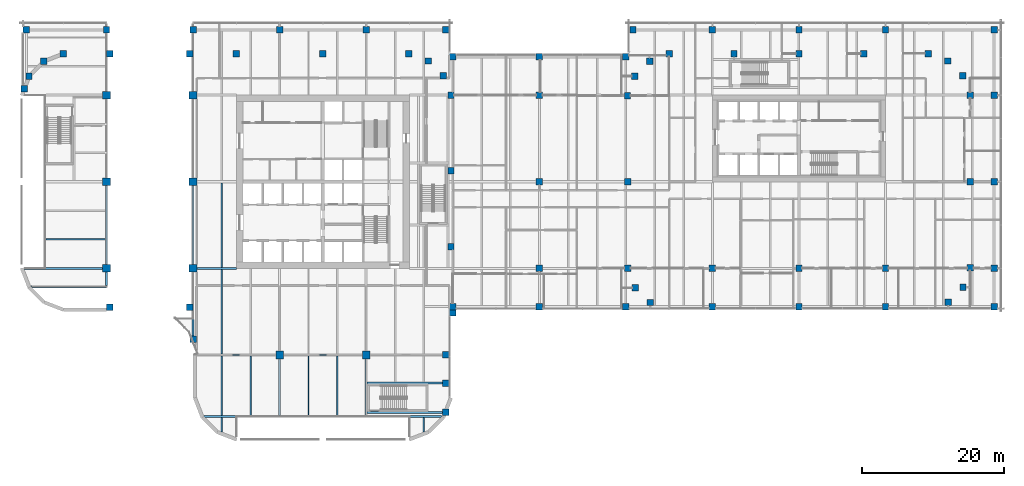
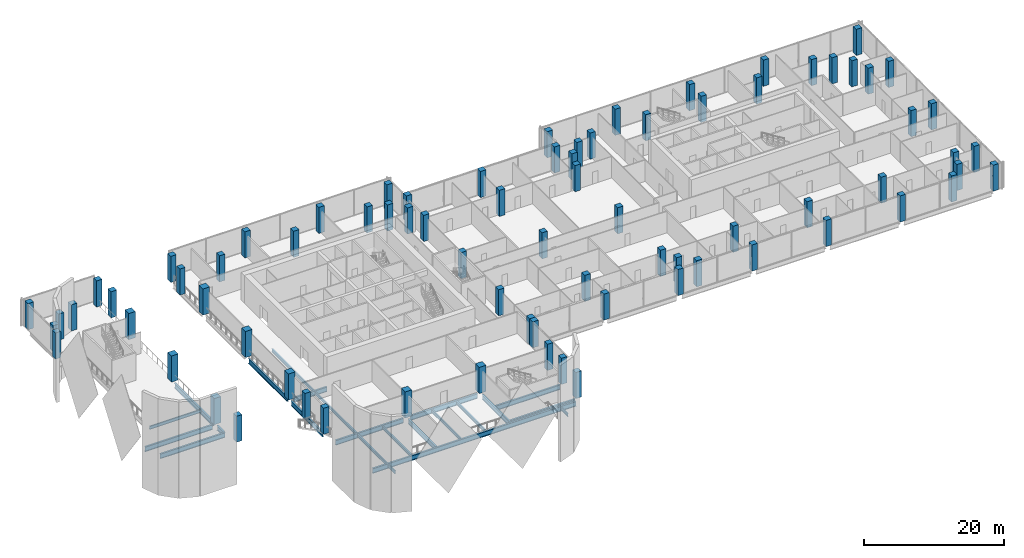
# One storey, part 1 of 33: 78 columns, 23 beams.
"""IFC4 building model written with IfcOpenShell, lengths in metres."""

from ifc_helpers import new_model, si_unit, direction, frame, origin, origin_2d, place, context, subcontext, project, spatial, rectangle, i_section, extrude, material, material_profile, profile_set, type_object, element, save


model = new_model("IFC4")

# Units and contexts
model_context = context("Model", 3, precision=1e-05, world=origin(), true_north=direction((0.0, 1.0)))
body_context = subcontext(model_context, "Body", "Model", "MODEL_VIEW")
ifc_project = project(units=[si_unit("LENGTHUNIT", "METRE"), si_unit("AREAUNIT", "SQUARE_METRE"), si_unit("VOLUMEUNIT", "CUBIC_METRE"), si_unit("PLANEANGLEUNIT", "RADIAN"), si_unit("MASSUNIT", "GRAM", prefix="KILO")], contexts=[model_context])

# Site, building, storey
site_placement = place(None, origin())
site = spatial("IfcSite", under=ifc_project, at=site_placement, CompositionType="ELEMENT")
building_placement = place(site_placement, origin())
building = spatial("IfcBuilding", under=site, at=building_placement, Name="Tessera Gate Towers", CompositionType="ELEMENT")
storey_placement = place(building_placement, frame((0.0, 0.0, 7.199951171875)))
storey = spatial("IfcBuildingStorey", under=building, at=storey_placement, Name="L01", CompositionType="ELEMENT", Elevation=7.199951171875)

# Columns
ifc_material_1 = material(Name="Concrete C70/85", Category="concrete")
ifc_material_profile_1 = material_profile(ifc_material_1, rectangle(XDim=1.10009765625, YDim=1.10009765625, at=origin_2d()), Name="RC 1100x1100")
ifc_profile_set_1 = profile_set([ifc_material_profile_1], Name="Concrete C70/85")
column_type_1 = type_object("IfcColumnType", Name="COLUMN RC 1100x1100", PredefinedType="COLUMN", material=ifc_profile_set_1)
for number, where, z_axis, x_axis, name in (
    (1, (12.199951171875, 24.39990234375, 0.0), (0.0, 0.0, 1.0), (1.0, 0.0, 0.0), "T1-COL-2C-L01"),
    (2, (12.199951171875, 36.60009765625, 0.0), (0.0, 0.0, 1.0), (1.0, 0.0, 0.0), "T1-COL-2D-L01"),
    (3, (12.199951171875, 48.800048828125, 0.0), (0.0, 0.0, 1.0), (1.0, 0.0, 0.0), "T1-COL-2E-L01"),
    (4, (24.39990234375, 24.39990234375, 0.0), (0.0, 0.0, 1.0), (1.0, 0.0, 0.0), "T1-COL-3C-L01"),
    (5, (24.39990234375, 36.60009765625, 0.0), (0.0, 0.0, 1.0), (1.0, 0.0, 0.0), "T1-COL-3D-L01"),
    (6, (24.39990234375, 48.800048828125, 0.0), (0.0, 0.0, 1.0), (1.0, 0.0, 0.0), "T1-COL-3E-L01"),
    (7, (36.60009765625, 12.199951171875, 0.0), (0.0, 0.0, 1.0), (1.0, 0.0, 0.0), "T1-COL-4B-L01"),
    (8, (48.800048828125, 12.199951171875, 0.0), (0.0, 0.0, 1.0), (1.0, 0.0, 0.0), "T1-COL-5B-L01"),
):
    element("IfcColumn", number, at=place(storey_placement, frame(where, z_axis=z_axis, x_axis=x_axis)), inside=storey, type_object=column_type_1, Name=name, PredefinedType="COLUMN", context=body_context, shape_type="SweptSolid", body=[
        extrude(rectangle(XDim=1.10009765625, YDim=1.10009765625, at=origin_2d()), origin(), (0.0, 0.0, 1.0), 4.550048828125),
    ])
ifc_material_2 = material(Name="Concrete C70/85", Category="concrete")
ifc_material_profile_2 = material_profile(ifc_material_2, rectangle(XDim=0.89990234375, YDim=0.89990234375, at=origin_2d()), Name="RC 900x900")
ifc_profile_set_2 = profile_set([ifc_material_profile_2], Name="Concrete C70/85")
column_type_2 = type_object("IfcColumnType", Name="COLUMN RC 900x900", PredefinedType="COLUMN", material=ifc_profile_set_2)
for number, where, z_axis, x_axis, name in (
    (9, (12.64990234375, 54.64990234375, 0.0), (0.0, 0.0, 1.0), (1.0, 0.0, 0.0), "PD-COL-E1-L01"),
    (10, (23.949951171875, 54.64990234375, 0.0), (0.0, 0.0, 1.0), (1.0, 0.0, 0.0), "PD-COL-E2-L01"),
    (11, (60.75, 27.449951171875, 0.0), (0.0, 0.0, 1.0), (1.0, 0.0, 0.0), "PD-COL-E3-L01"),
    (12, (60.75, 38.125, 0.0), (0.0, 0.0, 1.0), (1.0, 0.0, 0.0), "PD-COL-E4-L01"),
    (13, (60.75, 48.800048828125, 0.0), (0.0, 0.0, 1.0), (1.0, 0.0, 0.0), "PD-COL-E5-L01"),
    (14, (59.6689453125, 51.555908203125, 0.0), (0.0, 0.0, 1.0), (1.0, 0.0, 0.0), "PD-COL-E6-L01"),
    (15, (57.569091796875, 53.6259765625, 0.0), (0.0, 0.0, 1.0), (1.0, 0.0, 0.0), "PD-COL-E7-L01"),
    (16, (54.81005859375, 54.6669921875, 0.0), (0.0, 0.0, 1.0), (1.0, 0.0, 0.0), "PD-COL-E8-L01"),
    (17, (42.699951171875, 54.64990234375, 0.0), (0.0, 0.0, 1.0), (1.0, 0.0, 0.0), "PD-COL-E9-L01"),
    (18, (30.5, 54.64990234375, 0.0), (0.0, 0.0, 1.0), (1.0, 0.0, 0.0), "PD-COL-E10-L01"),
    (19, (6.10009765625, 54.64990234375, 0.0), (0.0, 0.0, 1.0), (1.0, 0.0, 0.0), "PD-COL-E11-L01"),
    (20, (3.343994140625, 53.569091796875, 0.0), (0.0, 0.0, 1.0), (1.0, 0.0, 0.0), "PD-COL-E12-L01"),
    (21, (1.27392578125, 51.468994140625, 0.0), (0.0, 0.0, 1.0), (1.0, 0.0, 0.0), "PD-COL-E13-L01"),
    (22, (130.85595703125, 19.631103515625, 0.0), (0.0, 0.0, 1.0), (1.0, 0.0, 0.0), "PD-COL-E14-L01"),
    (23, (132.926025390625, 21.73095703125, 0.0), (0.0, 0.0, 1.0), (1.0, 0.0, 0.0), "PD-COL-E15-L01"),
    (24, (133.967041015625, 24.489990234375, 0.0), (0.0, 0.0, 1.0), (1.0, 0.0, 0.0), "PD-COL-E16-L01"),
    (25, (133.949951171875, 36.60009765625, 0.0), (0.0, 0.0, 1.0), (1.0, 0.0, 0.0), "PD-COL-E17-L01"),
    (26, (133.949951171875, 48.800048828125, 0.0), (0.0, 0.0, 1.0), (1.0, 0.0, 0.0), "PD-COL-E18-L01"),
    (27, (132.868896484375, 51.555908203125, 0.0), (0.0, 0.0, 1.0), (1.0, 0.0, 0.0), "PD-COL-E19-L01"),
    (28, (130.76904296875, 53.6259765625, 0.0), (0.0, 0.0, 1.0), (1.0, 0.0, 0.0), "PD-COL-E20-L01"),
    (29, (128.010009765625, 54.6669921875, 0.0), (0.0, 0.0, 1.0), (1.0, 0.0, 0.0), "PD-COL-E21-L01"),
    (30, (118.949951171875, 54.64990234375, 0.0), (0.0, 0.0, 1.0), (1.0, 0.0, 0.0), "PD-COL-E22-L01"),
    (31, (109.800048828125, 54.64990234375, 0.0), (0.0, 0.0, 1.0), (1.0, 0.0, 0.0), "PD-COL-E23-L01"),
    (32, (100.64990234375, 54.64990234375, 0.0), (0.0, 0.0, 1.0), (1.0, 0.0, 0.0), "PD-COL-E24-L01"),
    (33, (91.5, 54.64990234375, 0.0), (0.0, 0.0, 1.0), (1.0, 0.0, 0.0), "PD-COL-E25-L01"),
    (34, (88.743896484375, 53.569091796875, 0.0), (0.0, 0.0, 1.0), (1.0, 0.0, 0.0), "PD-COL-E26-L01"),
    (35, (86.674072265625, 51.468994140625, 0.0), (0.0, 0.0, 1.0), (1.0, 0.0, 0.0), "PD-COL-E27-L01"),
    (36, (85.633056640625, 48.7099609375, 0.0), (0.0, 0.0, 1.0), (1.0, 0.0, 0.0), "PD-COL-E28-L01"),
    (37, (85.64990234375, 36.60009765625, 0.0), (0.0, 0.0, 1.0), (1.0, 0.0, 0.0), "PD-COL-E29-L01"),
    (38, (85.64990234375, 24.39990234375, 0.0), (0.0, 0.0, 1.0), (1.0, 0.0, 0.0), "PD-COL-E30-L01"),
    (39, (86.73095703125, 21.64404296875, 0.0), (0.0, 0.0, 1.0), (1.0, 0.0, 0.0), "PD-COL-E31-L01"),
    (40, (88.8310546875, 19.573974609375, 0.0), (0.0, 0.0, 1.0), (1.0, 0.0, 0.0), "PD-COL-E32-L01"),
    (41, (97.60009765625, 24.39990234375, 0.0), (0.0, 0.0, 1.0), (1.0, 0.0, 0.0), "T2-COL-9C-L01"),
    (42, (109.800048828125, 24.39990234375, 0.0), (0.0, 0.0, 1.0), (1.0, 0.0, 0.0), "T2-COL-10C-L01"),
    (43, (122.0, 24.39990234375, 0.0), (0.0, 0.0, 1.0), (1.0, 0.0, 0.0), "T2-COL-11C-L01"),
    (44, (73.199951171875, 24.39990234375, 0.0), (0.0, 0.0, 1.0), (1.0, 0.0, 0.0), "PD-COL-7C-L01"),
    (45, (73.199951171875, 36.60009765625, 0.0), (0.0, 0.0, 1.0), (1.0, 0.0, 0.0), "PD-COL-7D-L01"),
    (46, (73.199951171875, 48.800048828125, 0.0), (0.0, 0.0, 1.0), (1.0, 0.0, 0.0), "PD-COL-7E-L01"),
    (47, (12.199951171875, 58.0, 0.0), (0.0, 0.0, 1.0), (1.0, 0.0, 0.0), "PD-COL-258-L01"),
    (48, (24.39990234375, 58.0, 0.0), (0.0, 0.0, 1.0), (1.0, 0.0, 0.0), "PD-COL-358-L01"),
    (49, (36.60009765625, 58.0, 0.0), (0.0, 0.0, 1.0), (1.0, 0.0, 0.0), "PD-COL-458-L01"),
    (50, (48.800048828125, 58.0, 0.0), (0.0, 0.0, 1.0), (1.0, 0.0, 0.0), "PD-COL-558-L01"),
    (51, (97.60009765625, 58.0, 0.0), (0.0, 0.0, 1.0), (1.0, 0.0, 0.0), "PD-COL-958-L01"),
    (52, (109.800048828125, 58.0, 0.0), (0.0, 0.0, 1.0), (1.0, 0.0, 0.0), "PD-COL-1058-L01"),
    (53, (122.0, 58.0, 0.0), (0.0, 0.0, 1.0), (1.0, 0.0, 0.0), "PD-COL-1158-L01"),
    (54, (137.300048828125, 58.0, 0.0), (0.0, 0.0, 1.0), (1.0, 0.0, 0.0), "PD-COL-137.358-L01"),
    (55, (137.300048828125, 48.800048828125, 0.0), (0.0, 0.0, 1.0), (1.0, 0.0, 0.0), "PD-COL-137.3E-L01"),
    (56, (137.300048828125, 36.60009765625, 0.0), (0.0, 0.0, 1.0), (1.0, 0.0, 0.0), "PD-COL-137.3D-L01"),
    (57, (137.300048828125, 24.39990234375, 0.0), (0.0, 0.0, 1.0), (1.0, 0.0, 0.0), "PD-COL-137.3C-L01"),
    (58, (61.0, 19.0, 0.0), (0.0, 0.0, 1.0), (1.0, 0.0, 0.0), "PD-COL-619-L01"),
    (59, (73.199951171875, 19.0, 0.0), (0.0, 0.0, 1.0), (1.0, 0.0, 0.0), "PD-COL-719-L01"),
    (60, (85.39990234375, 19.0, 0.0), (0.0, 0.0, 1.0), (1.0, 0.0, 0.0), "PD-COL-819-L01"),
    (61, (97.60009765625, 19.0, 0.0), (0.0, 0.0, 1.0), (1.0, 0.0, 0.0), "PD-COL-919-L01"),
    (62, (109.800048828125, 19.0, 0.0), (0.0, 0.0, 1.0), (1.0, 0.0, 0.0), "PD-COL-1019-L01"),
    (63, (122.0, 19.0, 0.0), (0.0, 0.0, 1.0), (1.0, 0.0, 0.0), "PD-COL-1119-L01"),
    (64, (137.300048828125, 19.0, 0.0), (0.0, 0.0, 1.0), (1.0, 0.0, 0.0), "PD-COL-137.319-L01"),
    (65, (61.0, 54.199951171875, 0.0), (0.0, 0.0, 1.0), (1.0, 0.0, 0.0), "PD-COL-654.2-L01"),
    (66, (73.199951171875, 54.199951171875, 0.0), (0.0, 0.0, 1.0), (1.0, 0.0, 0.0), "PD-COL-754.2-L01"),
    (67, (85.39990234375, 54.199951171875, 0.0), (0.0, 0.0, 1.0), (1.0, 0.0, 0.0), "PD-COL-854.2-L01"),
    (68, (60.0, 58.0, 0.0), (0.0, 0.0, 1.0), (1.0, 0.0, 0.0), "PD-COL-6058-L01"),
    (69, (86.39990234375, 58.0, 0.0), (0.0, 0.0, 1.0), (1.0, 0.0, 0.0), "PD-COL-86.458-L01"),
    (70, (0.89990234375, 58.0, 0.0), (0.0, 0.0, 1.0), (1.0, 0.0, 0.0), "PD-COL-0.958-L01"),
    (71, (60.0, 12.199951171875, 0.0), (0.0, 0.0, 1.0), (1.0, 0.0, 0.0), "PD-COL-60B-L01"),
    (72, (24.39990234375, 14.39990234375, 0.0), (0.0, 0.0, 1.0), (1.0, 0.0, 0.0), "PD-COL-314.4-L01"),
    (73, (60.0, 8.199951171875, 0.0), (0.0, 0.0, 1.0), (1.0, 0.0, 0.0), "PD-COL-608.2-L01"),
    (74, (60.0, 4.10009765625, 0.0), (0.0, 0.0, 1.0), (1.0, 0.0, 0.0), "PD-COL-604.1-L01"),
    (75, (61.0, 18.10009765625, 0.0), (0.0, 0.0, 1.0), (1.0, 0.0, 0.0), "PD-COL-618.1-L01"),
    (76, (0.6201171875, 49.719970703125, 0.0), (0.0, 0.0, 1.0), (1.0, 0.0, 0.0), "PD-COL-0.6249.72-L01"),
    (77, (12.64990234375, 18.89990234375, 0.0), (0.0, 0.0, 1.0), (1.0, 0.0, 0.0), "PD-COL-MOUTH1-L01"),
    (78, (23.949951171875, 18.89990234375, 0.0), (0.0, 0.0, 1.0), (1.0, 0.0, 0.0), "PD-COL-MOUTH2-L01"),
):
    element("IfcColumn", number, at=place(storey_placement, frame(where, z_axis=z_axis, x_axis=x_axis)), inside=storey, type_object=column_type_2, Name=name, PredefinedType="COLUMN", context=body_context, shape_type="SweptSolid", body=[
        extrude(rectangle(XDim=0.89990234375, YDim=0.89990234375, at=origin_2d()), origin(), (0.0, 0.0, 1.0), 4.550048828125),
    ])

# Beams
ifc_material_3 = material(Name="Steel 350W", Category="steel")
ifc_material_profile_3 = material_profile(ifc_material_3, i_section(OverallWidth=0.2919921875, OverallDepth=0.8349609375, WebThickness=0.013916015625, FlangeThickness=0.018798828125, at=origin_2d()), Name="W840x176")
ifc_profile_set_3 = profile_set([ifc_material_profile_3], Name="Steel 350W")
beam_type_1 = type_object("IfcBeamType", Name="FLOOR GIRDER W840x176", PredefinedType="BEAM", material=ifc_profile_set_3)
beam_1_placement = place(storey_placement, frame((25.957763671875, 3.5, -0.66748046875), z_axis=(1.0, 0.0, 0.0), x_axis=(0.0, 1.0, 0.0)))
element("IfcBeam", 79, at=beam_1_placement, inside=storey, type_object=beam_type_1, Name="PD-GD-L01-198", PredefinedType="BEAM", context=body_context, shape_type="SweptSolid", body=[
    extrude(i_section(OverallWidth=0.2919921875, OverallDepth=0.8349609375, WebThickness=0.013916015625, FlangeThickness=0.018798828125, at=origin_2d()), origin(), (0.0, 0.0, 1.0), 33.484375),
])
beam_2_placement = place(storey_placement, frame((1.557861328125, 21.800048828125, -0.66748046875), z_axis=(1.0, 0.0, 0.0), x_axis=(0.0, 1.0, 0.0)))
element("IfcBeam", 80, at=beam_2_placement, inside=storey, type_object=beam_type_1, Name="PD-GD-L01-200", PredefinedType="BEAM", context=body_context, shape_type="SweptSolid", body=[
    extrude(i_section(OverallWidth=0.2919921875, OverallDepth=0.8349609375, WebThickness=0.013916015625, FlangeThickness=0.018798828125, at=origin_2d()), origin(), (0.0, 0.0, 1.0), 10.64306640625),
])
beam_3_placement = place(storey_placement, frame((24.89892578125, 12.199951171875, -0.66748046875), z_axis=(1.0, 0.0, 0.0), x_axis=(0.0, 1.0, 0.0)))
element("IfcBeam", 81, at=beam_3_placement, inside=storey, type_object=beam_type_1, Name="PD-GD-L01-201", PredefinedType="BEAM", context=body_context, shape_type="SweptSolid", body=[
    extrude(i_section(OverallWidth=0.2919921875, OverallDepth=0.8349609375, WebThickness=0.013916015625, FlangeThickness=0.018798828125, at=origin_2d()), origin(), (0.0, 0.0, 1.0), 11.151123046875),
])
beam_4_placement = place(storey_placement, frame((37.14990234375, 12.199951171875, -0.66748046875), z_axis=(1.0, 0.0, 0.0), x_axis=(0.0, 1.0, 0.0)))
element("IfcBeam", 82, at=beam_4_placement, inside=storey, type_object=beam_type_1, Name="PD-GD-L01-202", PredefinedType="BEAM", context=body_context, shape_type="SweptSolid", body=[
    extrude(i_section(OverallWidth=0.2919921875, OverallDepth=0.8349609375, WebThickness=0.013916015625, FlangeThickness=0.018798828125, at=origin_2d()), origin(), (0.0, 0.0, 1.0), 11.10009765625),
])
beam_5_placement = place(storey_placement, frame((0.534912109375, 24.39990234375, -0.66748046875), z_axis=(1.0, 0.0, 0.0), x_axis=(0.0, 1.0, 0.0)))
element("IfcBeam", 83, at=beam_5_placement, inside=storey, type_object=beam_type_1, Name="PD-GD-L01-204", PredefinedType="BEAM", context=body_context, shape_type="SweptSolid", body=[
    extrude(i_section(OverallWidth=0.2919921875, OverallDepth=0.8349609375, WebThickness=0.013916015625, FlangeThickness=0.018798828125, at=origin_2d()), origin(), (0.0, 0.0, 1.0), 11.114990234375),
])
beam_6_placement = place(storey_placement, frame((24.949951171875, 24.39990234375, -0.66748046875), z_axis=(1.0, 0.0, 0.0), x_axis=(0.0, 1.0, 0.0)))
element("IfcBeam", 84, at=beam_6_placement, inside=storey, type_object=beam_type_1, Name="PD-GD-L01-205", PredefinedType="BEAM", context=body_context, shape_type="SweptSolid", body=[
    extrude(i_section(OverallWidth=0.2919921875, OverallDepth=0.8349609375, WebThickness=0.013916015625, FlangeThickness=0.018798828125, at=origin_2d()), origin(), (0.0, 0.0, 1.0), 5.549072265625),
])
beam_7_placement = place(storey_placement, frame((12.199951171875, 21.946044921875, -0.66748046875), z_axis=(0.0, 1.0, 0.0), x_axis=(-1.0, 0.0, 0.0)))
element("IfcBeam", 85, at=beam_7_placement, inside=storey, type_object=beam_type_1, Name="PD-GD-L01-235", PredefinedType="BEAM", context=body_context, shape_type="SweptSolid", body=[
    extrude(i_section(OverallWidth=0.2919921875, OverallDepth=0.8349609375, WebThickness=0.013916015625, FlangeThickness=0.018798828125, at=origin_2d()), origin(), (0.0, 0.0, 1.0), 1.904052734375),
])
beam_8_placement = place(storey_placement, frame((12.199951171875, 24.949951171875, -0.66748046875), z_axis=(0.0, 1.0, 0.0), x_axis=(-1.0, 0.0, 0.0)))
element("IfcBeam", 86, at=beam_8_placement, inside=storey, type_object=beam_type_1, Name="PD-GD-L01-236", PredefinedType="BEAM", context=body_context, shape_type="SweptSolid", body=[
    extrude(i_section(OverallWidth=0.2919921875, OverallDepth=0.8349609375, WebThickness=0.013916015625, FlangeThickness=0.018798828125, at=origin_2d()), origin(), (0.0, 0.0, 1.0), 11.10009765625),
])
beam_9_placement = place(storey_placement, frame((24.39990234375, 14.85009765625, -0.66748046875), z_axis=(0.0, 1.0, 0.0), x_axis=(-1.0, 0.0, 0.0)))
element("IfcBeam", 87, at=beam_9_placement, inside=storey, type_object=beam_type_1, Name="PD-GD-L01-239", PredefinedType="BEAM", context=body_context, shape_type="SweptSolid", body=[
    extrude(i_section(OverallWidth=0.2919921875, OverallDepth=0.8349609375, WebThickness=0.013916015625, FlangeThickness=0.018798828125, at=origin_2d()), origin(), (0.0, 0.0, 1.0), 9.0),
])
beam_10_placement = place(storey_placement, frame((24.39990234375, 24.949951171875, -0.66748046875), z_axis=(0.0, 1.0, 0.0), x_axis=(-1.0, 0.0, 0.0)))
element("IfcBeam", 88, at=beam_10_placement, inside=storey, type_object=beam_type_1, Name="PD-GD-L01-240", PredefinedType="BEAM", context=body_context, shape_type="SweptSolid", body=[
    extrude(i_section(OverallWidth=0.2919921875, OverallDepth=0.8349609375, WebThickness=0.013916015625, FlangeThickness=0.018798828125, at=origin_2d()), origin(), (0.0, 0.0, 1.0), 11.10009765625),
])
for number, where, z_axis, x_axis, name in (
    (89, (36.60009765625, 3.64599609375, -0.66748046875), (0.0, 1.0, 0.0), (-1.0, 0.0, 0.0), "PD-GD-L01-243"),
    (90, (48.800048828125, 3.64599609375, -0.66748046875), (0.0, 1.0, 0.0), (-1.0, 0.0, 0.0), "PD-GD-L01-245"),
):
    element("IfcBeam", number, at=place(storey_placement, frame(where, z_axis=z_axis, x_axis=x_axis)), inside=storey, type_object=beam_type_1, Name=name, PredefinedType="BEAM", context=body_context, shape_type="SweptSolid", body=[
        extrude(i_section(OverallWidth=0.2919921875, OverallDepth=0.8349609375, WebThickness=0.013916015625, FlangeThickness=0.018798828125, at=origin_2d()), origin(), (0.0, 0.0, 1.0), 8.00390625),
    ])
beam_11_placement = place(storey_placement, frame((48.904541015625, 4.080078125, -0.66748046875), z_axis=(1.0, 0.0, 0.0), x_axis=(0.0, 1.0, 0.0)))
element("IfcBeam", 91, at=beam_11_placement, inside=storey, type_object=beam_type_1, Name="PD-GD-L01-262", PredefinedType="BEAM", context=body_context, shape_type="SweptSolid", body=[
    extrude(i_section(OverallWidth=0.2919921875, OverallDepth=0.8349609375, WebThickness=0.013916015625, FlangeThickness=0.018798828125, at=origin_2d()), origin(), (0.0, 0.0, 1.0), 10.78125),
])
beam_12_placement = place(storey_placement, frame((48.904541015625, 8.219970703125, -0.66748046875), z_axis=(1.0, 0.0, 0.0), x_axis=(0.0, 1.0, 0.0)))
element("IfcBeam", 92, at=beam_12_placement, inside=storey, type_object=beam_type_1, Name="PD-GD-L01-263", PredefinedType="BEAM", context=body_context, shape_type="SweptSolid", body=[
    extrude(i_section(OverallWidth=0.2919921875, OverallDepth=0.8349609375, WebThickness=0.013916015625, FlangeThickness=0.018798828125, at=origin_2d()), origin(), (0.0, 0.0, 1.0), 10.6455078125),
])
ifc_material_4 = material(Name="Steel 350W", Category="steel")
ifc_material_profile_4 = material_profile(ifc_material_4, i_section(OverallWidth=0.208984375, OverallDepth=0.528076171875, WebThickness=0.009521484375, FlangeThickness=0.01318359375, at=origin_2d()), Name="W530x82")
ifc_profile_set_4 = profile_set([ifc_material_profile_4], Name="Steel 350W")
beam_type_2 = type_object("IfcBeamType", Name="FLOOR SECONDARY W530x82", PredefinedType="BEAM", material=ifc_profile_set_4)
beam_13_placement = place(storey_placement, frame((28.466796875, 1.3203125, -0.513916015625), z_axis=(0.0, 1.0, 0.0), x_axis=(-1.0, 0.0, 0.0)))
element("IfcBeam", 93, at=beam_13_placement, inside=storey, type_object=beam_type_2, Name="PD-BM-L01-270", PredefinedType="BEAM", context=body_context, shape_type="SweptSolid", body=[
    extrude(i_section(OverallWidth=0.208984375, OverallDepth=0.528076171875, WebThickness=0.009521484375, FlangeThickness=0.01318359375, at=origin_2d()), origin(), (0.0, 0.0, 1.0), 2.03369140625),
])
beam_14_placement = place(storey_placement, frame((28.466796875, 3.64599609375, -0.513916015625), z_axis=(0.0, 1.0, 0.0), x_axis=(-1.0, 0.0, 0.0)))
element("IfcBeam", 94, at=beam_14_placement, inside=storey, type_object=beam_type_2, Name="PD-BM-L01-271", PredefinedType="BEAM", context=body_context, shape_type="SweptSolid", body=[
    extrude(i_section(OverallWidth=0.208984375, OverallDepth=0.528076171875, WebThickness=0.009521484375, FlangeThickness=0.01318359375, at=origin_2d()), origin(), (0.0, 0.0, 1.0), 8.407958984375),
])
beam_15_placement = place(storey_placement, frame((28.466796875, 12.345947265625, -0.513916015625), z_axis=(0.0, 1.0, 0.0), x_axis=(-1.0, 0.0, 0.0)))
element("IfcBeam", 95, at=beam_15_placement, inside=storey, type_object=beam_type_2, Name="PD-BM-L01-272", PredefinedType="BEAM", context=body_context, shape_type="SweptSolid", body=[
    extrude(i_section(OverallWidth=0.208984375, OverallDepth=0.528076171875, WebThickness=0.009521484375, FlangeThickness=0.01318359375, at=origin_2d()), origin(), (0.0, 0.0, 1.0), 11.907958984375),
])
beam_16_placement = place(storey_placement, frame((28.466796875, 24.5458984375, -0.513916015625), z_axis=(0.0, 1.0, 0.0), x_axis=(-1.0, 0.0, 0.0)))
element("IfcBeam", 96, at=beam_16_placement, inside=storey, type_object=beam_type_2, Name="PD-BM-L01-273", PredefinedType="BEAM", context=body_context, shape_type="SweptSolid", body=[
    extrude(i_section(OverallWidth=0.208984375, OverallDepth=0.528076171875, WebThickness=0.009521484375, FlangeThickness=0.01318359375, at=origin_2d()), origin(), (0.0, 0.0, 1.0), 11.908203125),
])
for number, where, z_axis, x_axis, name in (
    (97, (32.533203125, 3.64599609375, -0.513916015625), (0.0, 1.0, 0.0), (-1.0, 0.0, 0.0), "PD-BM-L01-276"),
    (98, (40.666748046875, 3.64599609375, -0.513916015625), (0.0, 1.0, 0.0), (-1.0, 0.0, 0.0), "PD-BM-L01-280"),
    (99, (44.7333984375, 3.64599609375, -0.513916015625), (0.0, 1.0, 0.0), (-1.0, 0.0, 0.0), "PD-BM-L01-283"),
):
    element("IfcBeam", number, at=place(storey_placement, frame(where, z_axis=z_axis, x_axis=x_axis)), inside=storey, type_object=beam_type_2, Name=name, PredefinedType="BEAM", context=body_context, shape_type="SweptSolid", body=[
        extrude(i_section(OverallWidth=0.208984375, OverallDepth=0.528076171875, WebThickness=0.009521484375, FlangeThickness=0.01318359375, at=origin_2d()), origin(), (0.0, 0.0, 1.0), 8.407958984375),
    ])
beam_17_placement = place(storey_placement, frame((56.933349609375, 1.3203125, -0.513916015625), z_axis=(0.0, 1.0, 0.0), x_axis=(-1.0, 0.0, 0.0)))
element("IfcBeam", 100, at=beam_17_placement, inside=storey, type_object=beam_type_2, Name="PD-BM-L01-290", PredefinedType="BEAM", context=body_context, shape_type="SweptSolid", body=[
    extrude(i_section(OverallWidth=0.208984375, OverallDepth=0.528076171875, WebThickness=0.009521484375, FlangeThickness=0.01318359375, at=origin_2d()), origin(), (0.0, 0.0, 1.0), 2.03369140625),
])
beam_18_placement = place(storey_placement, frame((3.64599609375, 28.466796875, -0.513916015625), z_axis=(1.0, 0.0, 0.0), x_axis=(0.0, 1.0, 0.0)))
element("IfcBeam", 101, at=beam_18_placement, inside=storey, type_object=beam_type_2, Name="PD-BM-L01-357", PredefinedType="BEAM", context=body_context, shape_type="SweptSolid", body=[
    extrude(i_section(OverallWidth=0.208984375, OverallDepth=0.528076171875, WebThickness=0.009521484375, FlangeThickness=0.01318359375, at=origin_2d()), origin(), (0.0, 0.0, 1.0), 8.553955078125),
])

save(model, "model.ifc")
